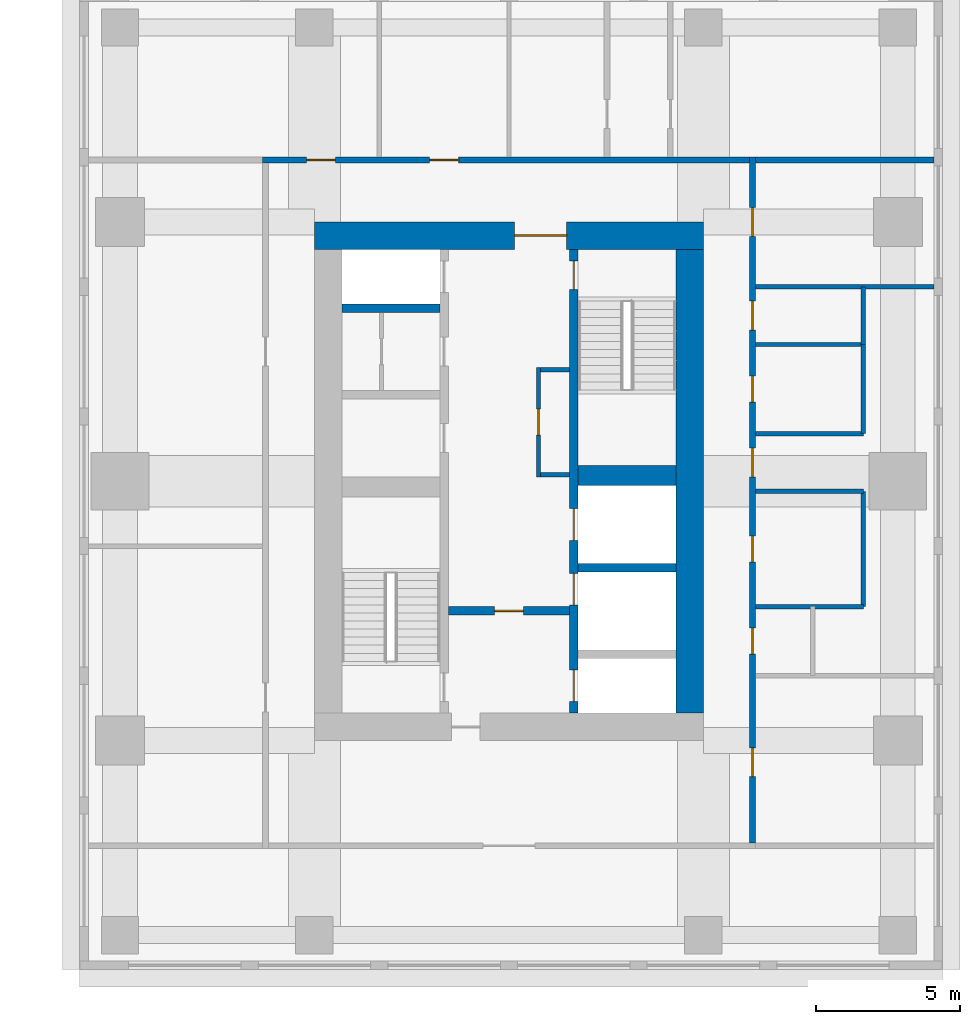
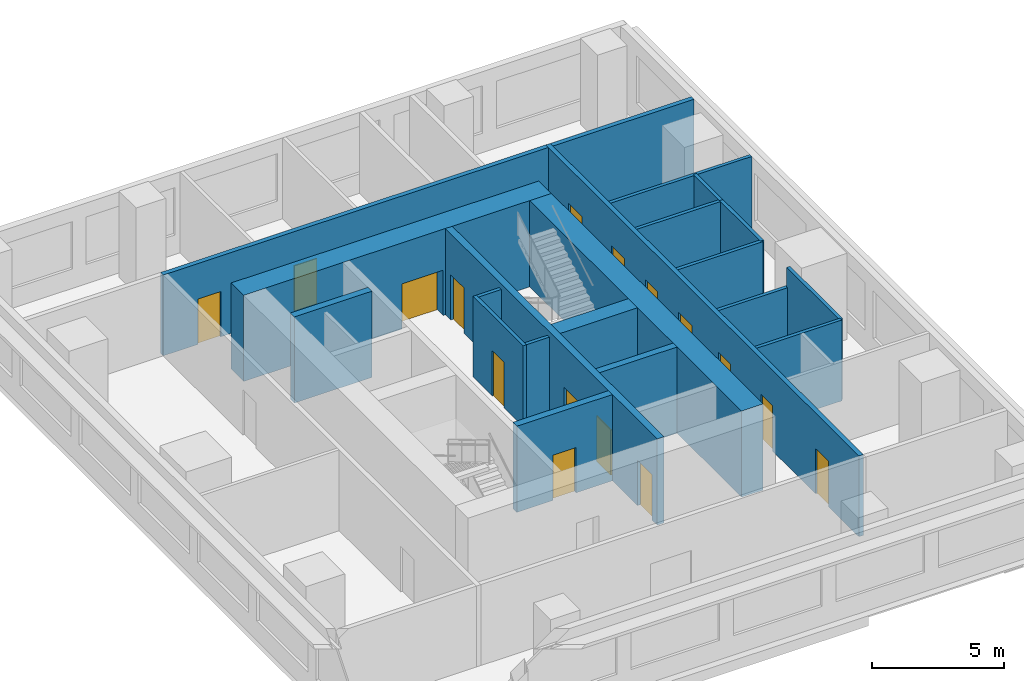
# One storey, part 7 of 11: 21 walls, 16 doors, 16 openings.
"""IFC4 building model written with IfcOpenShell, lengths in metres."""

from ifc_helpers import new_model, si_unit, direction, frame, frame_2d, origin, place, context, subcontext, project, spatial, rectangle, extrude, material, layer, layer_set, type_object, element, fill, save


model = new_model("IFC4")

# Units and contexts
model_context = context("Model", 3, precision=1e-05, world=origin(), true_north=direction((0.0, 1.0)))
body_context = subcontext(model_context, "Body", "Model", "MODEL_VIEW")
ifc_project = project(units=[si_unit("LENGTHUNIT", "METRE"), si_unit("AREAUNIT", "SQUARE_METRE"), si_unit("VOLUMEUNIT", "CUBIC_METRE"), si_unit("PLANEANGLEUNIT", "RADIAN"), si_unit("MASSUNIT", "GRAM", prefix="KILO")], contexts=[model_context])

# Site, building, storey
site_placement = place(None, origin())
site = spatial("IfcSite", under=ifc_project, at=site_placement, CompositionType="ELEMENT")
building_placement = place(site_placement, origin())
building = spatial("IfcBuilding", under=site, at=building_placement, Name="Namib Vertical Campus", CompositionType="ELEMENT")
storey_placement = place(building_placement, frame((0.0, 0.0, 205.0)))
storey = spatial("IfcBuildingStorey", under=building, at=storey_placement, Name="L48", CompositionType="ELEMENT", Elevation=205.0)

# Wall, openings, doors
ifc_material_1 = material(Name="Concrete C60/75", Category="concrete")
ifc_layer_1 = layer(ifc_material_1, 0.300048828125)
ifc_layer_set_1 = layer_set([ifc_layer_1], Name="Concrete C60/75")
wall_type_1 = type_object("IfcWallType", Name="Core inner wall 300", PredefinedType="SHEAR", material=ifc_layer_set_1)
wall_1_placement = place(storey_placement, frame((83.25, 12.199951171875, 0.0), z_axis=(0.0, 0.0, 1.0), x_axis=(0.0, 1.0, 0.0)))
wall_1 = element("IfcWall", 1, at=wall_1_placement, inside=storey, type_object=wall_type_1, Name="Core inner wall B L48 W2", PredefinedType="SHEAR", context=body_context, shape_type="SweptSolid", body=[
    extrude(rectangle(XDim=16.10009765625, YDim=0.300048828125, at=frame_2d((8.050048828125, 0.0))), origin(), (0.0, 0.0, 1.0), 4.0),
])
opening_1_placement = place(wall_1_placement, frame((14.699951171875, 0.0, 0.0)))
opening_1 = element("IfcOpeningElement", 2, at=opening_1_placement, cuts=wall_1, Name="Opening FD1", PredefinedType="OPENING", context=body_context, shape_type="SweptSolid", body=[
    extrude(rectangle(XDim=1.0, YDim=2.10009765625, at=frame_2d((0.5, 1.050048828125))), frame((0.0, 0.159912109375, 0.0), z_axis=(0.0, -1.0, 0.0), x_axis=(1.0, 0.0, 0.0)), (0.0, 0.0, 1.0), 0.320068359375),
])
opening_2_placement = place(wall_1_placement, frame((0.39990234375, 0.0, 0.0)))
opening_2 = element("IfcOpeningElement", 3, at=opening_2_placement, cuts=wall_1, Name="Opening LD1", PredefinedType="OPENING", context=body_context, shape_type="SweptSolid", body=[
    extrude(rectangle(XDim=1.10009765625, YDim=2.10009765625, at=frame_2d((0.550048828125, 1.050048828125))), frame((0.0, 0.159912109375, 0.0), z_axis=(0.0, -1.0, 0.0), x_axis=(1.0, 0.0, 0.0)), (0.0, 0.0, 1.0), 0.320068359375),
])
opening_3_placement = place(wall_1_placement, frame((3.75, 0.0, 0.0)))
opening_3 = element("IfcOpeningElement", 4, at=opening_3_placement, cuts=wall_1, Name="Opening LD1", PredefinedType="OPENING", context=body_context, shape_type="SweptSolid", body=[
    extrude(rectangle(XDim=1.10009765625, YDim=2.10009765625, at=frame_2d((0.550048828125, 1.050048828125))), frame((0.0, 0.159912109375, 0.0), z_axis=(0.0, -1.0, 0.0), x_axis=(1.0, 0.0, 0.0)), (0.0, 0.0, 1.0), 0.320068359375),
])
opening_4_placement = place(wall_1_placement, frame((6.0, 0.0, 0.0)))
opening_4 = element("IfcOpeningElement", 5, at=opening_4_placement, cuts=wall_1, Name="Opening LD1", PredefinedType="OPENING", context=body_context, shape_type="SweptSolid", body=[
    extrude(rectangle(XDim=1.10009765625, YDim=2.10009765625, at=frame_2d((0.550048828125, 1.050048828125))), frame((0.0, 0.159912109375, 0.0), z_axis=(0.0, -1.0, 0.0), x_axis=(1.0, 0.0, 0.0)), (0.0, 0.0, 1.0), 0.320068359375),
])
ifc_material_2 = material(Name="Steel fire door", Category="steel")
door_type_1 = type_object("IfcDoorType", Name="Fire door 1000x2100", OperationType="SINGLE_SWING_RIGHT", PredefinedType="DOOR", material=ifc_material_2)
door_1_placement = place(opening_1_placement, frame((1.0, 0.0, 0.0), z_axis=(0.0, 0.0, 1.0), x_axis=(-1.0, 0.0, 0.0)))
door_1 = element("IfcDoor", 6, at=door_1_placement, inside=storey, type_object=door_type_1, Name="Stair door FD1 B L48 S2", OperationType="SINGLE_SWING_LEFT", OverallHeight=2.10009765625, OverallWidth=1.0, PredefinedType="DOOR", context=body_context, shape_type="SweptSolid", body=[
    extrude(rectangle(XDim=1.0, YDim=2.10009765625, at=frame_2d((0.5, 1.050048828125))), frame((0.0, 0.02490234375, 0.0), z_axis=(0.0, -1.0, 0.0), x_axis=(1.0, 0.0, 0.0)), (0.0, 0.0, 1.0), 0.050048828125),
])
fill(opening_1, door_1)
ifc_material_3 = material(Name="Stainless steel lift door", Category="steel")
door_type_2 = type_object("IfcDoorType", Name="Lift landing door 1100x2100", OperationType="DOUBLE_DOOR_SLIDING", PredefinedType="DOOR", material=ifc_material_3)
door_2_placement = place(opening_2_placement, origin())
door_2 = element("IfcDoor", 7, at=door_2_placement, inside=storey, type_object=door_type_2, Name="Lift landing door LD1 B-FL1 L48", OperationType="DOUBLE_DOOR_SLIDING", OverallHeight=2.10009765625, OverallWidth=1.10009765625, PredefinedType="DOOR", context=body_context, shape_type="SweptSolid", body=[
    extrude(rectangle(XDim=1.10009765625, YDim=2.10009765625, at=frame_2d((0.550048828125, 1.050048828125))), frame((0.0, 0.02490234375, 0.0), z_axis=(0.0, -1.0, 0.0), x_axis=(1.0, 0.0, 0.0)), (0.0, 0.0, 1.0), 0.050048828125),
])
fill(opening_2, door_2)
door_3_placement = place(opening_3_placement, origin())
door_3 = element("IfcDoor", 8, at=door_3_placement, inside=storey, type_object=door_type_2, Name="Lift landing door LD1 B-P4 L48", OperationType="DOUBLE_DOOR_SLIDING", OverallHeight=2.10009765625, OverallWidth=1.10009765625, PredefinedType="DOOR", context=body_context, shape_type="SweptSolid", body=[
    extrude(rectangle(XDim=1.10009765625, YDim=2.10009765625, at=frame_2d((0.550048828125, 1.050048828125))), frame((0.0, 0.02490234375, 0.0), z_axis=(0.0, -1.0, 0.0), x_axis=(1.0, 0.0, 0.0)), (0.0, 0.0, 1.0), 0.050048828125),
])
fill(opening_3, door_3)
door_4_placement = place(opening_4_placement, origin())
door_4 = element("IfcDoor", 9, at=door_4_placement, inside=storey, type_object=door_type_2, Name="Lift landing door LD1 B-P5 L48", OperationType="DOUBLE_DOOR_SLIDING", OverallHeight=2.10009765625, OverallWidth=1.10009765625, PredefinedType="DOOR", context=body_context, shape_type="SweptSolid", body=[
    extrude(rectangle(XDim=1.10009765625, YDim=2.10009765625, at=frame_2d((0.550048828125, 1.050048828125))), frame((0.0, 0.02490234375, 0.0), z_axis=(0.0, -1.0, 0.0), x_axis=(1.0, 0.0, 0.0)), (0.0, 0.0, 1.0), 0.050048828125),
])
fill(opening_4, door_4)

# Wall, opening, door
wall_2_placement = place(storey_placement, frame((78.89990234375, 15.75, 0.0), z_axis=(0.0, 0.0, 1.0), x_axis=(1.0, 0.0, 0.0)))
wall_2 = element("IfcWall", 10, at=wall_2_placement, inside=storey, type_object=wall_type_1, Name="Core inner wall B L48 W4", PredefinedType="SHEAR", context=body_context, shape_type="SweptSolid", body=[
    extrude(rectangle(XDim=4.2001953125, YDim=0.300048828125, at=frame_2d((2.10009765625, 0.0))), origin(), (0.0, 0.0, 1.0), 4.0),
])
opening_5_placement = place(wall_2_placement, frame((1.60009765625, 0.0, 0.0)))
opening_5 = element("IfcOpeningElement", 11, at=opening_5_placement, cuts=wall_2, Name="Opening FD5", PredefinedType="OPENING", context=body_context, shape_type="SweptSolid", body=[
    extrude(rectangle(XDim=1.0, YDim=2.10009765625, at=frame_2d((0.5, 1.050048828125))), frame((0.0, 0.159912109375, 0.0), z_axis=(0.0, -1.0, 0.0), x_axis=(1.0, 0.0, 0.0)), (0.0, 0.0, 1.0), 0.320068359375),
])
ifc_material_4 = material(Name="Steel fire door", Category="steel")
door_type_3 = type_object("IfcDoorType", Name="Fire door 1000x2100 120 min", OperationType="SINGLE_SWING_RIGHT", PredefinedType="DOOR", material=ifc_material_4)
door_5_placement = place(opening_5_placement, frame((1.0, 0.0, 0.0), z_axis=(0.0, 0.0, 1.0), x_axis=(-1.0, 0.0, 0.0)))
door_5 = element("IfcDoor", 12, at=door_5_placement, inside=storey, type_object=door_type_3, Name="Lobby door FD5 B L48", OperationType="SINGLE_SWING_RIGHT", OverallHeight=2.10009765625, OverallWidth=1.0, PredefinedType="DOOR", context=body_context, shape_type="SweptSolid", body=[
    extrude(rectangle(XDim=1.0, YDim=2.10009765625, at=frame_2d((0.5, 1.050048828125))), frame((0.0, 0.02490234375, 0.0), z_axis=(0.0, -1.0, 0.0), x_axis=(1.0, 0.0, 0.0)), (0.0, 0.0, 1.0), 0.050048828125),
])
fill(opening_5, door_5)

# Walls
for number, where, z_axis, x_axis, name in (
    (13, (83.39990234375, 17.25, 0.0), (0.0, 0.0, 1.0), (1.0, 0.0, 0.0), "Core inner wall B L48 W6"),
    (14, (75.199951171875, 26.25, 0.0), (0.0, 0.0, 1.0), (1.0, 0.0, 0.0), "Core inner wall B L48 W9"),
):
    element("IfcWall", number, at=place(storey_placement, frame(where, z_axis=z_axis, x_axis=x_axis)), inside=storey, type_object=wall_type_1, Name=name, PredefinedType="SHEAR", context=body_context, shape_type="SweptSolid", body=[
        extrude(rectangle(XDim=3.400146484375, YDim=0.300048828125, at=frame_2d((1.7001953125, 0.0))), origin(), (0.0, 0.0, 1.0), 4.0),
    ])
ifc_material_5 = material(Name="Concrete C60/75", Category="concrete")
ifc_layer_2 = layer(ifc_material_5, 0.699951171875)
ifc_layer_set_2 = layer_set([ifc_layer_2], Name="Concrete C60/75")
wall_type_2 = type_object("IfcWallType", Name="Core shear wall 700", PredefinedType="SHEAR", material=ifc_layer_set_2)
wall_3_placement = place(storey_placement, frame((83.39990234375, 20.449951171875, 0.0), z_axis=(0.0, 0.0, 1.0), x_axis=(1.0, 0.0, 0.0)))
element("IfcWall", 15, at=wall_3_placement, inside=storey, type_object=wall_type_2, Name="Core shear wall B L48 W7", PredefinedType="SHEAR", context=body_context, shape_type="SweptSolid", body=[
    extrude(rectangle(XDim=3.400146484375, YDim=0.699951171875, at=frame_2d((1.7001953125, 0.0))), origin(), (0.0, 0.0, 1.0), 4.0),
])
ifc_material_6 = material(Name="Concrete C60/75", Category="concrete")
ifc_layer_3 = layer(ifc_material_6, 0.949951171875)
ifc_layer_set_3 = layer_set([ifc_layer_3], Name="Concrete C60/75")
wall_type_3 = type_object("IfcWallType", Name="Core wall 950", PredefinedType="SHEAR", material=ifc_layer_set_3)
wall_4_placement = place(storey_placement, frame((87.27490234375, 12.199951171875, 0.0), z_axis=(0.0, 0.0, 1.0), x_axis=(0.0, 1.0, 0.0)))
element("IfcWall", 16, at=wall_4_placement, inside=storey, type_object=wall_type_3, Name="Core wall B L48 2", PredefinedType="SHEAR", context=body_context, shape_type="SweptSolid", body=[
    extrude(rectangle(XDim=16.10009765625, YDim=0.949951171875, at=frame_2d((8.050048828125, 0.0))), origin(), (0.0, 0.0, 1.0), 4.0),
])

# Wall, opening, door
wall_5_placement = place(storey_placement, frame((87.75, 28.77490234375, 0.0), z_axis=(0.0, 0.0, 1.0), x_axis=(-1.0, 0.0, 0.0)))
wall_5 = element("IfcWall", 17, at=wall_5_placement, inside=storey, type_object=wall_type_3, Name="Core wall B L48 3", PredefinedType="SHEAR", context=body_context, shape_type="SweptSolid", body=[
    extrude(rectangle(XDim=13.5, YDim=0.949951171875, at=frame_2d((6.75, 0.0))), origin(), (0.0, 0.0, 1.0), 4.0),
])
opening_6_placement = place(wall_5_placement, frame((4.75, 0.0, 0.0)))
opening_6 = element("IfcOpeningElement", 18, at=opening_6_placement, cuts=wall_5, Name="Opening FD2", PredefinedType="OPENING", context=body_context, shape_type="SweptSolid", body=[
    extrude(rectangle(XDim=1.800048828125, YDim=2.10009765625, at=frame_2d((0.89990234375, 1.050048828125))), frame((0.0, 0.48486328125, 0.0), z_axis=(0.0, -1.0, 0.0), x_axis=(1.0, 0.0, 0.0)), (0.0, 0.0, 1.0), 0.969970703125),
])
ifc_material_7 = material(Name="Steel fire door", Category="steel")
door_type_4 = type_object("IfcDoorType", Name="Fire door double 1800x2100", OperationType="DOUBLE_DOOR_SINGLE_SWING", PredefinedType="DOOR", material=ifc_material_7)
door_6_placement = place(opening_6_placement, origin())
door_6 = element("IfcDoor", 19, at=door_6_placement, inside=storey, type_object=door_type_4, Name="Lift lobby door FD2 B L48", OperationType="DOUBLE_DOOR_SINGLE_SWING", OverallHeight=2.10009765625, OverallWidth=1.800048828125, PredefinedType="DOOR", context=body_context, shape_type="SweptSolid", body=[
    extrude(rectangle(XDim=1.800048828125, YDim=2.10009765625, at=frame_2d((0.89990234375, 1.050048828125))), frame((0.0, 0.02490234375, 0.0), z_axis=(0.0, -1.0, 0.0), x_axis=(1.0, 0.0, 0.0)), (0.0, 0.0, 1.0), 0.050048828125),
])
fill(opening_6, door_6)

# Wall, openings, doors
ifc_material_8 = material(Name="Concrete masonry", Category="masonry")
ifc_layer_4 = layer(ifc_material_8, 0.199951171875)
ifc_layer_set_4 = layer_set([ifc_layer_4], Name="Corridor wall 200")
wall_type_4 = type_object("IfcWallType", Name="Corridor wall 200", PredefinedType="SOLIDWALL", material=ifc_layer_set_4)
wall_6_placement = place(storey_placement, frame((89.449951171875, 7.699951171875, 0.0), z_axis=(0.0, 0.0, 1.0), x_axis=(0.0, 1.0, 0.0)))
wall_6 = element("IfcWall", 20, at=wall_6_placement, inside=storey, type_object=wall_type_4, Name="Corridor wall B L48 CE", PredefinedType="SOLIDWALL", context=body_context, shape_type="SweptSolid", body=[
    extrude(rectangle(XDim=23.800048828125, YDim=0.199951171875, at=frame_2d((11.89990234375, 0.0))), origin(), (0.0, 0.0, 1.0), 3.75),
])
opening_7_placement = place(wall_6_placement, frame((2.300048828125, 0.0, 0.0)))
opening_7 = element("IfcOpeningElement", 21, at=opening_7_placement, cuts=wall_6, Name="Opening CD1", PredefinedType="OPENING", context=body_context, shape_type="SweptSolid", body=[
    extrude(rectangle(XDim=1.0, YDim=2.10009765625, at=frame_2d((0.5, 1.050048828125))), frame((0.0, 0.10986328125, 0.0), z_axis=(0.0, -1.0, 0.0), x_axis=(1.0, 0.0, 0.0)), (0.0, 0.0, 1.0), 0.219970703125),
])
opening_8_placement = place(wall_6_placement, frame((6.550048828125, 0.0, 0.0)))
opening_8 = element("IfcOpeningElement", 22, at=opening_8_placement, cuts=wall_6, Name="Opening CD3", PredefinedType="OPENING", context=body_context, shape_type="SweptSolid", body=[
    extrude(rectangle(XDim=0.89990234375, YDim=2.10009765625, at=frame_2d((0.449951171875, 1.050048828125))), frame((0.0, 0.10986328125, 0.0), z_axis=(0.0, -1.0, 0.0), x_axis=(1.0, 0.0, 0.0)), (0.0, 0.0, 1.0), 0.219970703125),
])
opening_9_placement = place(wall_6_placement, frame((9.75, 0.0, 0.0)))
opening_9 = element("IfcOpeningElement", 23, at=opening_9_placement, cuts=wall_6, Name="Opening CD3", PredefinedType="OPENING", context=body_context, shape_type="SweptSolid", body=[
    extrude(rectangle(XDim=0.89990234375, YDim=2.10009765625, at=frame_2d((0.449951171875, 1.050048828125))), frame((0.0, 0.10986328125, 0.0), z_axis=(0.0, -1.0, 0.0), x_axis=(1.0, 0.0, 0.0)), (0.0, 0.0, 1.0), 0.219970703125),
])
opening_10_placement = place(wall_6_placement, frame((15.300048828125, 0.0, 0.0)))
opening_10 = element("IfcOpeningElement", 24, at=opening_10_placement, cuts=wall_6, Name="Opening CD3", PredefinedType="OPENING", context=body_context, shape_type="SweptSolid", body=[
    extrude(rectangle(XDim=0.89990234375, YDim=2.10009765625, at=frame_2d((0.449951171875, 1.050048828125))), frame((0.0, 0.10986328125, 0.0), z_axis=(0.0, -1.0, 0.0), x_axis=(1.0, 0.0, 0.0)), (0.0, 0.0, 1.0), 0.219970703125),
])
opening_11_placement = place(wall_6_placement, frame((17.800048828125, 0.0, 0.0)))
opening_11 = element("IfcOpeningElement", 25, at=opening_11_placement, cuts=wall_6, Name="Opening CD1", PredefinedType="OPENING", context=body_context, shape_type="SweptSolid", body=[
    extrude(rectangle(XDim=1.0, YDim=2.10009765625, at=frame_2d((0.5, 1.050048828125))), frame((0.0, 0.10986328125, 0.0), z_axis=(0.0, -1.0, 0.0), x_axis=(1.0, 0.0, 0.0)), (0.0, 0.0, 1.0), 0.219970703125),
])
opening_12_placement = place(wall_6_placement, frame((12.699951171875, 0.0, 0.0)))
opening_12 = element("IfcOpeningElement", 26, at=opening_12_placement, cuts=wall_6, Name="Opening CD1", PredefinedType="OPENING", context=body_context, shape_type="SweptSolid", body=[
    extrude(rectangle(XDim=1.0, YDim=2.10009765625, at=frame_2d((0.5, 1.050048828125))), frame((0.0, 0.10986328125, 0.0), z_axis=(0.0, -1.0, 0.0), x_axis=(1.0, 0.0, 0.0)), (0.0, 0.0, 1.0), 0.219970703125),
])
opening_13_placement = place(wall_6_placement, frame((21.050048828125, 0.0, 0.0)))
opening_13 = element("IfcOpeningElement", 27, at=opening_13_placement, cuts=wall_6, Name="Opening CD1", PredefinedType="OPENING", context=body_context, shape_type="SweptSolid", body=[
    extrude(rectangle(XDim=1.0, YDim=2.10009765625, at=frame_2d((0.5, 1.050048828125))), frame((0.0, 0.10986328125, 0.0), z_axis=(0.0, -1.0, 0.0), x_axis=(1.0, 0.0, 0.0)), (0.0, 0.0, 1.0), 0.219970703125),
])
ifc_material_9 = material(Name="Timber fire door leaf", Category="wood")
door_type_5 = type_object("IfcDoorType", Name="Corridor door 1000x2100 20 min", OperationType="SINGLE_SWING_LEFT", PredefinedType="DOOR", material=ifc_material_9)
door_7_placement = place(opening_7_placement, frame((1.0, 0.0, 0.0), z_axis=(0.0, 0.0, 1.0), x_axis=(-1.0, 0.0, 0.0)))
door_7 = element("IfcDoor", 28, at=door_7_placement, inside=storey, type_object=door_type_5, Name="Door CD1 B48-02", OperationType="SINGLE_SWING_RIGHT", OverallHeight=2.10009765625, OverallWidth=1.0, PredefinedType="DOOR", context=body_context, shape_type="SweptSolid", body=[
    extrude(rectangle(XDim=1.0, YDim=2.10009765625, at=frame_2d((0.5, 1.050048828125))), frame((0.0, 0.02490234375, 0.0), z_axis=(0.0, -1.0, 0.0), x_axis=(1.0, 0.0, 0.0)), (0.0, 0.0, 1.0), 0.050048828125),
])
fill(opening_7, door_7)
door_8_placement = place(opening_11_placement, frame((1.0, 0.0, 0.0), z_axis=(0.0, 0.0, 1.0), x_axis=(-1.0, 0.0, 0.0)))
door_8 = element("IfcDoor", 29, at=door_8_placement, inside=storey, type_object=door_type_5, Name="Door CD1 B48-06", OperationType="SINGLE_SWING_RIGHT", OverallHeight=2.10009765625, OverallWidth=1.0, PredefinedType="DOOR", context=body_context, shape_type="SweptSolid", body=[
    extrude(rectangle(XDim=1.0, YDim=2.10009765625, at=frame_2d((0.5, 1.050048828125))), frame((0.0, 0.02490234375, 0.0), z_axis=(0.0, -1.0, 0.0), x_axis=(1.0, 0.0, 0.0)), (0.0, 0.0, 1.0), 0.050048828125),
])
fill(opening_11, door_8)
door_9_placement = place(opening_12_placement, frame((1.0, 0.0, 0.0), z_axis=(0.0, 0.0, 1.0), x_axis=(-1.0, 0.0, 0.0)))
door_9 = element("IfcDoor", 30, at=door_9_placement, inside=storey, type_object=door_type_5, Name="Door CD1 B48-07", OperationType="SINGLE_SWING_RIGHT", OverallHeight=2.10009765625, OverallWidth=1.0, PredefinedType="DOOR", context=body_context, shape_type="SweptSolid", body=[
    extrude(rectangle(XDim=1.0, YDim=2.10009765625, at=frame_2d((0.5, 1.050048828125))), frame((0.0, 0.02490234375, 0.0), z_axis=(0.0, -1.0, 0.0), x_axis=(1.0, 0.0, 0.0)), (0.0, 0.0, 1.0), 0.050048828125),
])
fill(opening_12, door_9)
door_10_placement = place(opening_13_placement, frame((1.0, 0.0, 0.0), z_axis=(0.0, 0.0, 1.0), x_axis=(-1.0, 0.0, 0.0)))
door_10 = element("IfcDoor", 31, at=door_10_placement, inside=storey, type_object=door_type_5, Name="Door CD1 B48-08", OperationType="SINGLE_SWING_RIGHT", OverallHeight=2.10009765625, OverallWidth=1.0, PredefinedType="DOOR", context=body_context, shape_type="SweptSolid", body=[
    extrude(rectangle(XDim=1.0, YDim=2.10009765625, at=frame_2d((0.5, 1.050048828125))), frame((0.0, 0.02490234375, 0.0), z_axis=(0.0, -1.0, 0.0), x_axis=(1.0, 0.0, 0.0)), (0.0, 0.0, 1.0), 0.050048828125),
])
fill(opening_13, door_10)
ifc_material_10 = material(Name="Timber fire door leaf", Category="wood")
door_type_6 = type_object("IfcDoorType", Name="Corridor toilet door 900x2100 20 min", OperationType="SINGLE_SWING_LEFT", PredefinedType="DOOR", material=ifc_material_10)
door_11_placement = place(opening_8_placement, frame((0.89990234375, 0.0, 0.0), z_axis=(0.0, 0.0, 1.0), x_axis=(-1.0, 0.0, 0.0)))
door_11 = element("IfcDoor", 32, at=door_11_placement, inside=storey, type_object=door_type_6, Name="Door CD3 B48-03", OperationType="SINGLE_SWING_RIGHT", OverallHeight=2.10009765625, OverallWidth=0.89990234375, PredefinedType="DOOR", context=body_context, shape_type="SweptSolid", body=[
    extrude(rectangle(XDim=0.89990234375, YDim=2.10009765625, at=frame_2d((0.449951171875, 1.050048828125))), frame((0.0, 0.02490234375, 0.0), z_axis=(0.0, -1.0, 0.0), x_axis=(1.0, 0.0, 0.0)), (0.0, 0.0, 1.0), 0.050048828125),
])
fill(opening_8, door_11)
door_12_placement = place(opening_9_placement, frame((0.89990234375, 0.0, 0.0), z_axis=(0.0, 0.0, 1.0), x_axis=(-1.0, 0.0, 0.0)))
door_12 = element("IfcDoor", 33, at=door_12_placement, inside=storey, type_object=door_type_6, Name="Door CD3 B48-04", OperationType="SINGLE_SWING_RIGHT", OverallHeight=2.10009765625, OverallWidth=0.89990234375, PredefinedType="DOOR", context=body_context, shape_type="SweptSolid", body=[
    extrude(rectangle(XDim=0.89990234375, YDim=2.10009765625, at=frame_2d((0.449951171875, 1.050048828125))), frame((0.0, 0.02490234375, 0.0), z_axis=(0.0, -1.0, 0.0), x_axis=(1.0, 0.0, 0.0)), (0.0, 0.0, 1.0), 0.050048828125),
])
fill(opening_9, door_12)
door_13_placement = place(opening_10_placement, frame((0.89990234375, 0.0, 0.0), z_axis=(0.0, 0.0, 1.0), x_axis=(-1.0, 0.0, 0.0)))
door_13 = element("IfcDoor", 34, at=door_13_placement, inside=storey, type_object=door_type_6, Name="Door CD3 B48-05", OperationType="SINGLE_SWING_RIGHT", OverallHeight=2.10009765625, OverallWidth=0.89990234375, PredefinedType="DOOR", context=body_context, shape_type="SweptSolid", body=[
    extrude(rectangle(XDim=0.89990234375, YDim=2.10009765625, at=frame_2d((0.449951171875, 1.050048828125))), frame((0.0, 0.02490234375, 0.0), z_axis=(0.0, -1.0, 0.0), x_axis=(1.0, 0.0, 0.0)), (0.0, 0.0, 1.0), 0.050048828125),
])
fill(opening_10, door_13)

wall_7_placement = place(storey_placement, frame((89.35009765625, 31.39990234375, 0.0), z_axis=(0.0, 0.0, 1.0), x_axis=(-1.0, 0.0, 0.0)))
wall_7 = element("IfcWall", 35, at=wall_7_placement, inside=storey, type_object=wall_type_4, Name="Corridor wall B L48 CN", PredefinedType="SOLIDWALL", context=body_context, shape_type="SweptSolid", body=[
    extrude(rectangle(XDim=16.900146484375, YDim=0.199951171875, at=frame_2d((8.4501953125, 0.0))), origin(), (0.0, 0.0, 1.0), 3.75),
])
opening_14_placement = place(wall_7_placement, frame((14.375, 0.0, 0.0)))
opening_14 = element("IfcOpeningElement", 36, at=opening_14_placement, cuts=wall_7, Name="Opening CD1", PredefinedType="OPENING", context=body_context, shape_type="SweptSolid", body=[
    extrude(rectangle(XDim=1.0, YDim=2.10009765625, at=frame_2d((0.5, 1.050048828125))), frame((0.0, 0.10986328125, 0.0), z_axis=(0.0, -1.0, 0.0), x_axis=(1.0, 0.0, 0.0)), (0.0, 0.0, 1.0), 0.219970703125),
])
opening_15_placement = place(wall_7_placement, frame((10.10009765625, 0.0, 0.0)))
opening_15 = element("IfcOpeningElement", 37, at=opening_15_placement, cuts=wall_7, Name="Opening CD1", PredefinedType="OPENING", context=body_context, shape_type="SweptSolid", body=[
    extrude(rectangle(XDim=1.0, YDim=2.10009765625, at=frame_2d((0.5, 1.050048828125))), frame((0.0, 0.10986328125, 0.0), z_axis=(0.0, -1.0, 0.0), x_axis=(1.0, 0.0, 0.0)), (0.0, 0.0, 1.0), 0.219970703125),
])
door_14_placement = place(opening_14_placement, frame((1.0, 0.0, 0.0), z_axis=(0.0, 0.0, 1.0), x_axis=(-1.0, 0.0, 0.0)))
door_14 = element("IfcDoor", 38, at=door_14_placement, inside=storey, type_object=door_type_5, Name="Door CD1 B48-09", OperationType="SINGLE_SWING_RIGHT", OverallHeight=2.10009765625, OverallWidth=1.0, PredefinedType="DOOR", context=body_context, shape_type="SweptSolid", body=[
    extrude(rectangle(XDim=1.0, YDim=2.10009765625, at=frame_2d((0.5, 1.050048828125))), frame((0.0, 0.02490234375, 0.0), z_axis=(0.0, -1.0, 0.0), x_axis=(1.0, 0.0, 0.0)), (0.0, 0.0, 1.0), 0.050048828125),
])
fill(opening_14, door_14)
door_15_placement = place(opening_15_placement, frame((1.0, 0.0, 0.0), z_axis=(0.0, 0.0, 1.0), x_axis=(-1.0, 0.0, 0.0)))
door_15 = element("IfcDoor", 39, at=door_15_placement, inside=storey, type_object=door_type_5, Name="Door CD1 B48-10", OperationType="SINGLE_SWING_RIGHT", OverallHeight=2.10009765625, OverallWidth=1.0, PredefinedType="DOOR", context=body_context, shape_type="SweptSolid", body=[
    extrude(rectangle(XDim=1.0, YDim=2.10009765625, at=frame_2d((0.5, 1.050048828125))), frame((0.0, 0.02490234375, 0.0), z_axis=(0.0, -1.0, 0.0), x_axis=(1.0, 0.0, 0.0)), (0.0, 0.0, 1.0), 0.050048828125),
])
fill(opening_15, door_15)

# Wall
wall_8_placement = place(storey_placement, frame((89.550048828125, 31.39990234375, 0.0), z_axis=(0.0, 0.0, 1.0), x_axis=(1.0, 0.0, 0.0)))
element("IfcWall", 40, at=wall_8_placement, inside=storey, type_object=wall_type_4, Name="Partition B L48 BNE", PredefinedType="SOLIDWALL", context=body_context, shape_type="SweptSolid", body=[
    extrude(rectangle(XDim=6.199951171875, YDim=0.199951171875, at=frame_2d((3.10009765625, 0.0))), origin(), (0.0, 0.0, 1.0), 3.75),
])

# Wall, opening, door
ifc_material_11 = material(Name="Gypsum board on steel studs", Category="steel")
ifc_layer_5 = layer(ifc_material_11, 0.14990234375)
ifc_layer_set_5 = layer_set([ifc_layer_5], Name="Gypsum board on steel studs")
wall_type_5 = type_object("IfcWallType", Name="Partition 150", PredefinedType="PARTITIONING", material=ifc_layer_set_5)
wall_9_placement = place(storey_placement, frame((82.02490234375, 20.39990234375, 0.0), z_axis=(0.0, 0.0, 1.0), x_axis=(0.0, 1.0, 0.0)))
wall_9 = element("IfcWall", 41, at=wall_9_placement, inside=storey, type_object=wall_type_5, Name="Partition B L48 Linen store front", PredefinedType="PARTITIONING", context=body_context, shape_type="SweptSolid", body=[
    extrude(rectangle(XDim=3.800048828125, YDim=0.14990234375, at=frame_2d((1.89990234375, 0.0))), origin(), (0.0, 0.0, 1.0), 3.75),
])
opening_16_placement = place(wall_9_placement, frame((1.449951171875, 0.0, 0.0)))
opening_16 = element("IfcOpeningElement", 42, at=opening_16_placement, cuts=wall_9, Name="Opening D3", PredefinedType="OPENING", context=body_context, shape_type="SweptSolid", body=[
    extrude(rectangle(XDim=0.89990234375, YDim=2.10009765625, at=frame_2d((0.449951171875, 1.050048828125))), frame((0.0, 0.0849609375, 0.0), z_axis=(0.0, -1.0, 0.0), x_axis=(1.0, 0.0, 0.0)), (0.0, 0.0, 1.0), 0.169921875),
])
ifc_material_12 = material(Name="Timber door leaf", Category="wood")
door_type_7 = type_object("IfcDoorType", Name="Toilet door 900x2100", OperationType="SINGLE_SWING_LEFT", PredefinedType="DOOR", material=ifc_material_12)
door_16_placement = place(opening_16_placement, frame((0.89990234375, 0.0, 0.0), z_axis=(0.0, 0.0, 1.0), x_axis=(-1.0, 0.0, 0.0)))
door_16 = element("IfcDoor", 43, at=door_16_placement, inside=storey, type_object=door_type_7, Name="Door D3 Linen store B L48", OperationType="SINGLE_SWING_RIGHT", OverallHeight=2.10009765625, OverallWidth=0.89990234375, PredefinedType="DOOR", context=body_context, shape_type="SweptSolid", body=[
    extrude(rectangle(XDim=0.89990234375, YDim=2.10009765625, at=frame_2d((0.449951171875, 1.050048828125))), frame((0.0, 0.02490234375, 0.0), z_axis=(0.0, -1.0, 0.0), x_axis=(1.0, 0.0, 0.0)), (0.0, 0.0, 1.0), 0.050048828125),
])
fill(opening_16, door_16)

# Walls
for number, where, z_axis, x_axis, name in (
    (44, (82.10009765625, 20.47509765625, 0.0), (0.0, 0.0, 1.0), (1.0, 0.0, 0.0), "Partition B L48 Linen store end 1"),
    (45, (82.10009765625, 24.125, 0.0), (0.0, 0.0, 1.0), (1.0, 0.0, 0.0), "Partition B L48 Linen store end 2"),
):
    element("IfcWall", number, at=place(storey_placement, frame(where, z_axis=z_axis, x_axis=x_axis)), inside=storey, type_object=wall_type_5, Name=name, PredefinedType="PARTITIONING", context=body_context, shape_type="SweptSolid", body=[
        extrude(rectangle(XDim=1.0, YDim=0.14990234375, at=frame_2d((0.5, 0.0))), origin(), (0.0, 0.0, 1.0), 3.75),
    ])
wall_10_placement = place(storey_placement, frame((89.550048828125, 27.0, 0.0), z_axis=(0.0, 0.0, 1.0), x_axis=(1.0, 0.0, 0.0)))
element("IfcWall", 46, at=wall_10_placement, inside=storey, type_object=wall_type_5, Name="Partition B L48 PE2", PredefinedType="PARTITIONING", context=body_context, shape_type="SweptSolid", body=[
    extrude(rectangle(XDim=6.199951171875, YDim=0.14990234375, at=frame_2d((3.10009765625, 0.0))), origin(), (0.0, 0.0, 1.0), 3.75),
])
wall_11_placement = place(storey_placement, frame((89.550048828125, 15.89990234375, 0.0), z_axis=(0.0, 0.0, 1.0), x_axis=(1.0, 0.0, 0.0)))
element("IfcWall", 47, at=wall_11_placement, inside=storey, type_object=wall_type_5, Name="Partition B L48 WR1", PredefinedType="PARTITIONING", context=body_context, shape_type="SweptSolid", body=[
    extrude(rectangle(XDim=3.75, YDim=0.14990234375, at=frame_2d((1.875, 0.0))), origin(), (0.0, 0.0, 1.0), 3.75),
])
wall_12_placement = place(storey_placement, frame((89.550048828125, 19.89990234375, 0.0), z_axis=(0.0, 0.0, 1.0), x_axis=(1.0, 0.0, 0.0)))
element("IfcWall", 48, at=wall_12_placement, inside=storey, type_object=wall_type_5, Name="Partition B L48 WR2", PredefinedType="PARTITIONING", context=body_context, shape_type="SweptSolid", body=[
    extrude(rectangle(XDim=3.75, YDim=0.14990234375, at=frame_2d((1.875, 0.0))), origin(), (0.0, 0.0, 1.0), 2.85009765625),
])
for number, where, z_axis, x_axis, name in (
    (49, (89.550048828125, 21.89990234375, 0.0), (0.0, 0.0, 1.0), (1.0, 0.0, 0.0), "Partition B L48 WR3"),
    (50, (89.550048828125, 25.0, 0.0), (0.0, 0.0, 1.0), (1.0, 0.0, 0.0), "Partition B L48 WR4"),
):
    element("IfcWall", number, at=place(storey_placement, frame(where, z_axis=z_axis, x_axis=x_axis)), inside=storey, type_object=wall_type_5, Name=name, PredefinedType="PARTITIONING", context=body_context, shape_type="SweptSolid", body=[
        extrude(rectangle(XDim=3.75, YDim=0.14990234375, at=frame_2d((1.875, 0.0))), origin(), (0.0, 0.0, 1.0), 3.75),
    ])
wall_13_placement = place(storey_placement, frame((93.300048828125, 15.89990234375, 0.0), z_axis=(0.0, 0.0, 1.0), x_axis=(0.0, 1.0, 0.0)))
element("IfcWall", 51, at=wall_13_placement, inside=storey, type_object=wall_type_5, Name="Partition B L48 WB2", PredefinedType="PARTITIONING", context=body_context, shape_type="SweptSolid", body=[
    extrude(rectangle(XDim=4.0, YDim=0.14990234375, at=frame_2d((2.0, 0.0))), origin(), (0.0, 0.0, 1.0), 3.75),
])
wall_14_placement = place(storey_placement, frame((93.300048828125, 21.89990234375, 0.0), z_axis=(0.0, 0.0, 1.0), x_axis=(0.0, 1.0, 0.0)))
element("IfcWall", 52, at=wall_14_placement, inside=storey, type_object=wall_type_5, Name="Partition B L48 WB3", PredefinedType="PARTITIONING", context=body_context, shape_type="SweptSolid", body=[
    extrude(rectangle(XDim=3.10009765625, YDim=0.14990234375, at=frame_2d((1.550048828125, 0.0))), origin(), (0.0, 0.0, 1.0), 3.75),
])
wall_15_placement = place(storey_placement, frame((93.300048828125, 25.0, 0.0), z_axis=(0.0, 0.0, 1.0), x_axis=(0.0, 1.0, 0.0)))
element("IfcWall", 53, at=wall_15_placement, inside=storey, type_object=wall_type_5, Name="Partition B L48 WB4", PredefinedType="PARTITIONING", context=body_context, shape_type="SweptSolid", body=[
    extrude(rectangle(XDim=2.0, YDim=0.14990234375, at=frame_2d((1.0, 0.0))), origin(), (0.0, 0.0, 1.0), 3.75),
])

save(model, "model.ifc")
